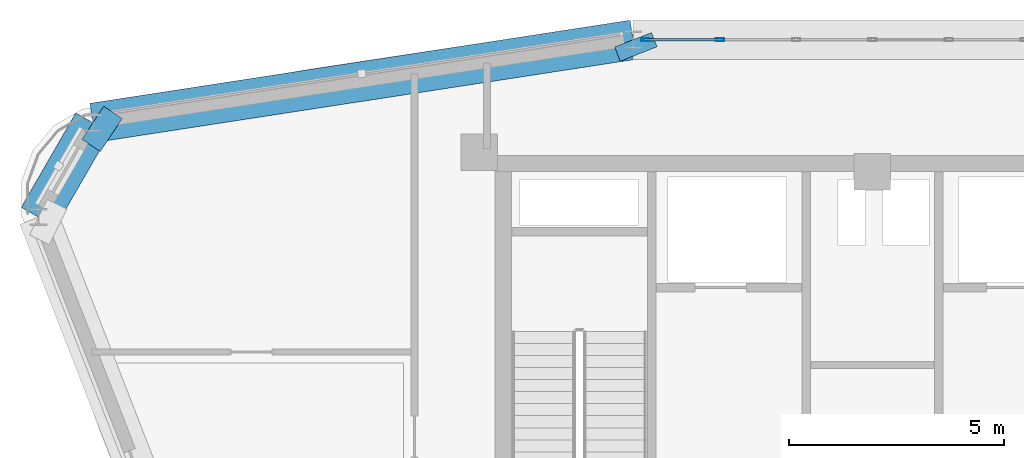
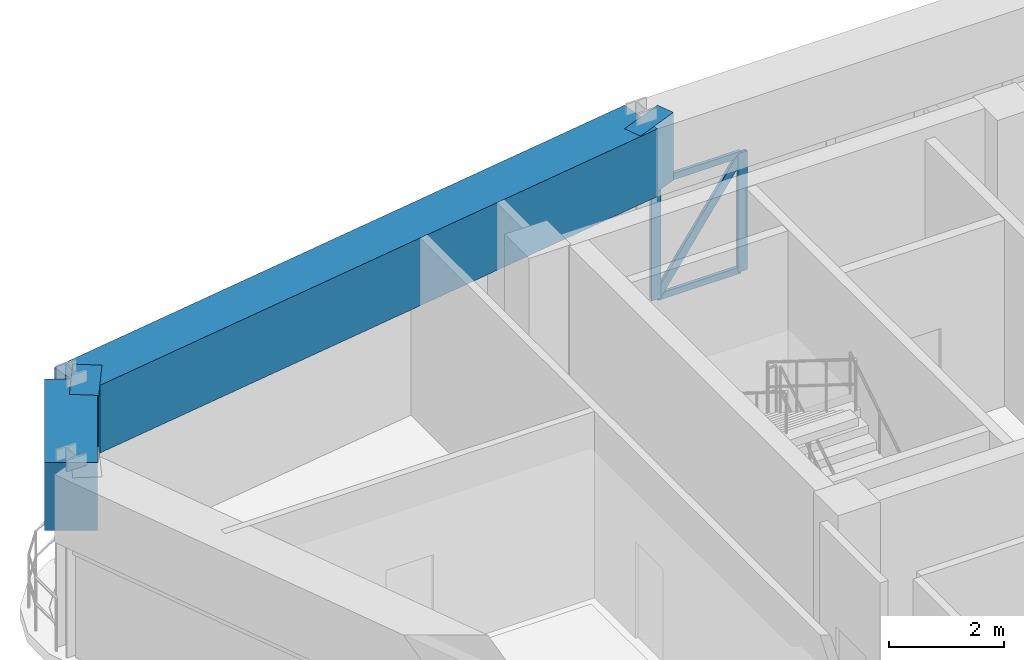
# One storey, part 8 of 17: 5 members, 4 beams, 1 element without a shape of its own.
"""IFC4 building model written with IfcOpenShell, lengths in metres."""

from ifc_helpers import new_model, si_unit, derived_unit, direction, frame, origin, origin_2d, place, context, subcontext, project, spatial, rectangle, hollow_rectangle, extrude, source, transform, mapped, material, layer, layer_set, material_profile, profile_set, type_object, element, aggregate, save


model = new_model("IFC4")

# Units and contexts
model_context = context("Model", 3, precision=1e-05, world=origin(), true_north=direction((0.0, 1.0)))
body_context = subcontext(model_context, "Body", "Model", "MODEL_VIEW")
ifc_project = project(units=[si_unit("LENGTHUNIT", "METRE"), si_unit("AREAUNIT", "SQUARE_METRE"), si_unit("VOLUMEUNIT", "CUBIC_METRE"), si_unit("PLANEANGLEUNIT", "RADIAN"), si_unit("MASSUNIT", "GRAM", prefix="KILO"), derived_unit("THERMALTRANSMITTANCEUNIT", [(si_unit("POWERUNIT", "WATT"), 1), (si_unit("LENGTHUNIT", "METRE"), -2), (si_unit("THERMODYNAMICTEMPERATUREUNIT", "KELVIN"), -1)])], contexts=[model_context])

# Site, building, storey
site_placement = place(None, origin())
site = spatial("IfcSite", under=ifc_project, at=site_placement, CompositionType="ELEMENT")
building_placement = place(site_placement, origin())
building = spatial("IfcBuilding", under=site, at=building_placement, Name="Korsvarv Bourse and Concert Hall", CompositionType="ELEMENT")
storey_placement = place(building_placement, frame((0.0, 0.0, 279.60009765625)))
storey = spatial("IfcBuildingStorey", under=building, at=storey_placement, Name="L73", CompositionType="ELEMENT", Elevation=279.60009765625)

# Beams
ifc_material_1 = material(Name="Concrete C50/60", Category="concrete")
ifc_material_profile_1 = material_profile(ifc_material_1, rectangle(XDim=0.919921875, YDim=1.43994140625, at=origin_2d()), Name="RC-BM 920x1440")
ifc_profile_set_1 = profile_set([ifc_material_profile_1], Name="Concrete C50/60")
beam_type = type_object("IfcBeamType", Name="BM-TR-144", PredefinedType="BEAM", material=ifc_profile_set_1)
shared_shape_1 = source(origin(), body_context, "Body", "SweptSolid", [
    extrude(rectangle(XDim=0.919921875, YDim=1.43994140625, at=origin_2d()), origin(), (0.0, 0.0, 1.0), 0.3564453125),
])
beam_1_placement = place(storey_placement, frame((30.430419921875, 49.867919921875, 3.239990234375), z_axis=(0.363701957319, -0.93151537091, 0.0), x_axis=(0.93151537091, 0.363701957319, 0.0)))
element("IfcBeam", 1, at=beam_1_placement, inside=storey, type_object=beam_type, Name="L73 beam B-TR4", PredefinedType="BEAM", context=body_context, shape_type="MappedRepresentation", body=[
    mapped(shared_shape_1, transform((0.0, 0.0, 0.0), scale=1.0)),
])
shared_shape_2 = source(origin(), body_context, "Body", "SweptSolid", [
    extrude(rectangle(XDim=0.919921875, YDim=1.43994140625, at=origin_2d()), origin(), (0.0, 0.0, 1.0), 2.534423828125),
])
beam_2_placement = place(storey_placement, frame((17.861083984375, 47.935791015625, 3.239990234375), z_axis=(-0.499972622635, -0.866041209536, 0.0), x_axis=(0.866041209536, -0.499972622635, 0.0)))
element("IfcBeam", 2, at=beam_2_placement, inside=storey, type_object=beam_type, Name="L73 beam B-TR4", PredefinedType="BEAM", context=body_context, shape_type="MappedRepresentation", body=[
    mapped(shared_shape_2, transform((0.0, 0.0, 0.0), scale=1.0)),
])
shared_shape_3 = source(origin(), body_context, "Body", "SweptSolid", [
    extrude(rectangle(XDim=0.919921875, YDim=1.43994140625, at=origin_2d()), origin(), (0.0, 0.0, 1.0), 12.717041015625),
])
beam_3_placement = place(storey_placement, frame((30.430419921875, 49.867919921875, 3.239990234375), z_axis=(-0.988390776911, -0.15193311725, 0.0), x_axis=(0.15193311725, -0.988390776911, 0.0)))
element("IfcBeam", 3, at=beam_3_placement, inside=storey, type_object=beam_type, Name="L73 beam B-TR4", PredefinedType="BEAM", context=body_context, shape_type="MappedRepresentation", body=[
    mapped(shared_shape_3, transform((0.0, 0.0, 0.0), scale=1.0)),
])
shared_shape_4 = source(origin(), body_context, "Body", "SweptSolid", [
    extrude(rectangle(XDim=0.919921875, YDim=1.43994140625, at=origin_2d()), origin(), (0.0, 0.0, 1.0), 0.5107421875),
])
beam_4_placement = place(storey_placement, frame((17.861083984375, 47.935791015625, 3.239990234375), z_axis=(0.832785043871, -0.553596487258, 0.0), x_axis=(0.553596487258, 0.832785043871, 0.0)))
element("IfcBeam", 4, at=beam_4_placement, inside=storey, type_object=beam_type, Name="L73 beam B-TR4", PredefinedType="BEAM", context=body_context, shape_type="MappedRepresentation", body=[
    mapped(shared_shape_4, transform((0.0, 0.0, 0.0), scale=1.0)),
])

# Curtain wall, members
ifc_material_2 = material(Name="Anodised aluminium and triple low-E glazing", Category="glass")
ifc_layer = layer(ifc_material_2, 0.18994140625)
ifc_layer_set = layer_set([ifc_layer], Name="Anodised aluminium and triple low-E glazing")
curtain_wall_type = type_object("IfcCurtainWallType", Name="CW-SYS-4", PredefinedType="NOTDEFINED", material=ifc_layer_set)
curtain_wall_placement = place(storey_placement, origin())
curtain_wall = element("IfcCurtainWall", 5, at=curtain_wall_placement, inside=storey, type_object=curtain_wall_type, Name="L73 CW4 curtain wall CW-L73-F03", PredefinedType="NOTDEFINED")
ifc_material_3 = material(Name="Extruded aluminium EN AW-6063 T66", Category="aluminium")
ifc_material_profile_2 = material_profile(ifc_material_3, hollow_rectangle(XDim=0.070068359375, YDim=0.18994140625, WallThickness=0.0048828125, at=origin_2d()), Name="ALU-M 70x190")
ifc_profile_set_2 = profile_set([ifc_material_profile_2], Name="Extruded aluminium EN AW-6063 T66")
member_type_1 = type_object("IfcMemberType", Name="CWM-190", PredefinedType="MULLION", material=ifc_profile_set_2)
shared_shape_5 = source(origin(), body_context, "Body", "SweptSolid", [
    extrude(hollow_rectangle(XDim=0.070068359375, YDim=0.18994140625, WallThickness=0.0048828125, at=origin_2d()), origin(), (0.0, 0.0, 1.0), 2.52001953125),
])
member_1_placement = place(storey_placement, frame((32.4541015625, 49.867919921875, 0.0), z_axis=(0.0, 0.0, 1.0), x_axis=(0.0, -1.0, 0.0)))
member_1 = element("IfcMember", 6, at=member_1_placement, type_object=member_type_1, Name="CW4 mullion 6", PredefinedType="MULLION", context=body_context, shape_type="MappedRepresentation", body=[
    mapped(shared_shape_5, transform((0.0, 0.0, 0.0), scale=1.0)),
])
member_2_placement = place(storey_placement, frame((30.716064453125, 49.867919921875, 0.0), z_axis=(0.0, 0.0, 1.0), x_axis=(0.0, -1.0, 0.0)))
member_2 = element("IfcMember", 7, at=member_2_placement, type_object=member_type_1, Name="CW4 mullion 7", PredefinedType="MULLION", context=body_context, shape_type="MappedRepresentation", body=[
    mapped(shared_shape_5, transform((0.0, 0.0, 0.0), scale=1.0)),
])
ifc_material_profile_3 = material_profile(ifc_material_3, hollow_rectangle(XDim=0.06494140625, YDim=0.139892578125, WallThickness=0.00390625, at=origin_2d()), Name="ALU-T 65x140")
ifc_profile_set_3 = profile_set([ifc_material_profile_3], Name="Extruded aluminium EN AW-6063 T66")
member_type_2 = type_object("IfcMemberType", Name="CWT-140", PredefinedType="USERDEFINED", material=ifc_profile_set_3)
shared_shape_6 = source(origin(), body_context, "Body", "SweptSolid", [
    extrude(hollow_rectangle(XDim=0.06494140625, YDim=0.139892578125, WallThickness=0.00390625, at=origin_2d()), origin(), (0.0, 0.0, 1.0), 1.66796875),
])
member_3_placement = place(storey_placement, frame((32.4189453125, 49.867919921875, 0.032470703125), z_axis=(-1.0, 0.0, 0.0), x_axis=(0.0, -1.0, 0.0)))
member_3 = element("IfcMember", 8, at=member_3_placement, type_object=member_type_2, Name="CW4 transom 6.1", ObjectType="TRANSOM", PredefinedType="USERDEFINED", context=body_context, shape_type="MappedRepresentation", body=[
    mapped(shared_shape_6, transform((0.0, 0.0, 0.0), scale=1.0)),
])
member_4_placement = place(storey_placement, frame((32.4189453125, 49.867919921875, 2.4873046875), z_axis=(-1.0, 0.0, 0.0), x_axis=(0.0, -1.0, 0.0)))
member_4 = element("IfcMember", 9, at=member_4_placement, type_object=member_type_2, Name="CW4 transom 6.2", ObjectType="TRANSOM", PredefinedType="USERDEFINED", context=body_context, shape_type="MappedRepresentation", body=[
    mapped(shared_shape_6, transform((0.0, 0.0, 0.0), scale=1.0)),
])
ifc_material_profile_4 = material_profile(ifc_material_3, hollow_rectangle(XDim=0.06494140625, YDim=0.1650390625, WallThickness=0.0048828125, at=origin_2d()), Name="ALU-M 65x165")
ifc_profile_set_4 = profile_set([ifc_material_profile_4], Name="Extruded aluminium EN AW-6063 T66")
member_type_3 = type_object("IfcMemberType", Name="CWM-165", PredefinedType="MULLION", material=ifc_profile_set_4)
shared_shape_7 = source(origin(), body_context, "Body", "SweptSolid", [
    extrude(hollow_rectangle(XDim=0.06494140625, YDim=0.1650390625, WallThickness=0.0048828125, at=origin_2d()), origin(), (0.0, 0.0, 1.0), 2.914306640625),
])
member_5_placement = place(storey_placement, frame((30.7509765625, 49.867919921875, 0.06494140625), z_axis=(0.572320484226, 0.0, 0.820030038069), x_axis=(0.0, 1.0, 0.0)))
member_5 = element("IfcMember", 10, at=member_5_placement, type_object=member_type_3, Name="CW4 diagonal mullion 6", PredefinedType="MULLION", context=body_context, shape_type="MappedRepresentation", body=[
    mapped(shared_shape_7, transform((0.0, 0.0, 0.0), scale=1.0)),
])
aggregate(curtain_wall, [member_1, member_2, member_3, member_4, member_5])

save(model, "model.ifc")
